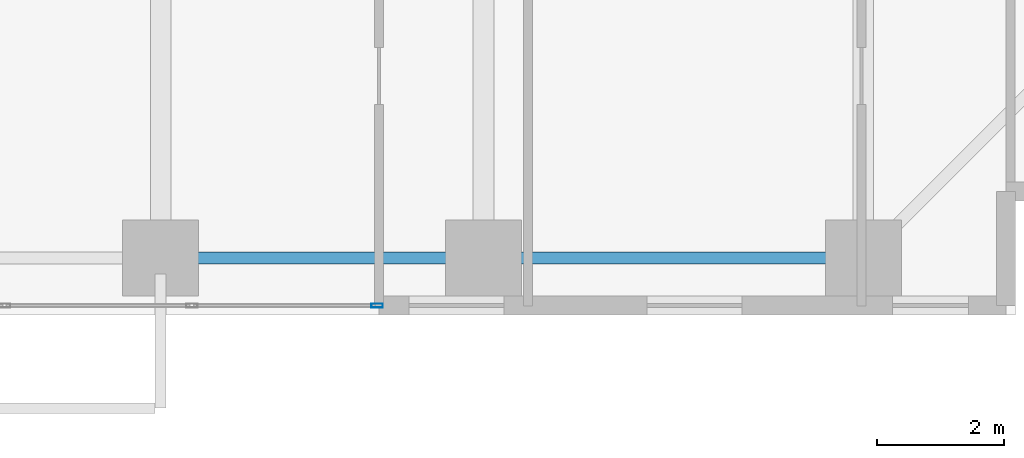
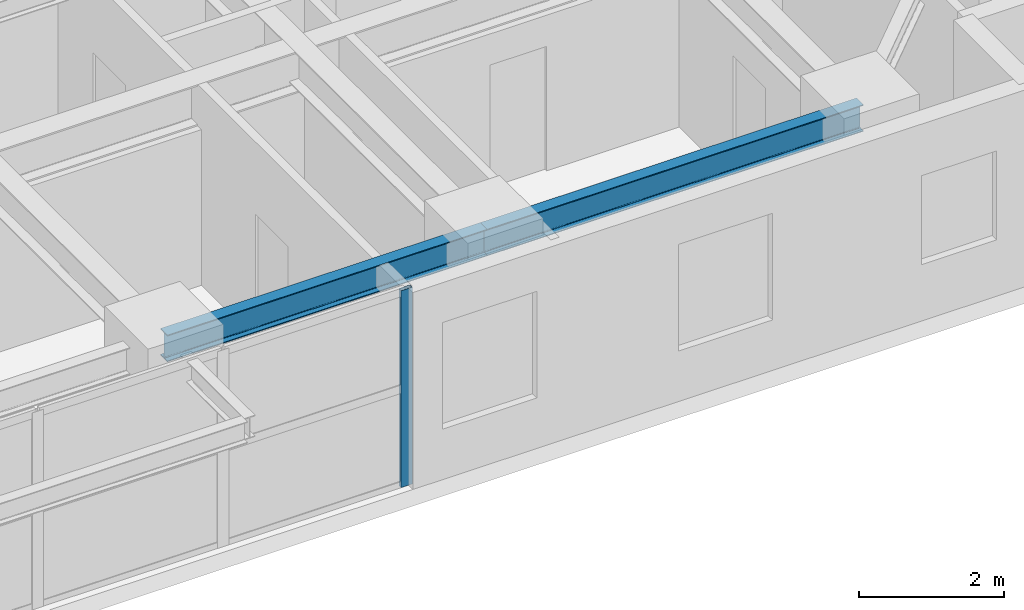
# One storey, part 7 of 24: 2 beams, 1 member, 1 element without a shape of its own.
"""IFC4 building model written with IfcOpenShell, lengths in metres."""

import ifcopenshell
import ifcopenshell.guid

model = None  # the IFC model being written
_history = None  # IfcOwnerHistory: only IFC2X3 demands one
_inside = {}  # id of a spatial element -> (the spatial element, [elements in it])
_under = {}  # id of a project, library or spatial element -> (it, [spatial elements below it])
_declared = {}  # id of a project -> (the project, [libraries it declares])
_typed = {}  # id of a type object -> (the type object, [elements of that type])
_made_of = {}  # id of a material, layer set ... -> (it, [elements and type objects made of it])


def new_model(schema):
    """Start an empty IFC model of exactly this schema.

    Asked for "IFC4X3", IfcOpenShell would pick the latest addendum, in which some entities
    have other attributes; the version numbers below select the first issue.
    IFC2X3 requires an IfcOwnerHistory on every rooted entity: one is made here for all.
    """
    global model, _history
    if schema == "IFC4X3":
        model = ifcopenshell.file(schema_version=(4, 3, 0, 0))
    else:
        model = ifcopenshell.file(schema=schema)
    _inside.clear()
    _under.clear()
    _declared.clear()
    _typed.clear()
    _made_of.clear()
    _history = None
    if model.schema == "IFC2X3":
        org = make("IfcOrganization", Name="unknown")
        user = make(
            "IfcPersonAndOrganization",
            ThePerson=make("IfcPerson", FamilyName="unknown"),
            TheOrganization=org,
        )
        app = make(
            "IfcApplication",
            ApplicationDeveloper=org,
            Version="unknown",
            ApplicationFullName="unknown",
            ApplicationIdentifier="unknown",
        )
        _history = make(
            "IfcOwnerHistory",
            OwningUser=user,
            OwningApplication=app,
            ChangeAction="ADDED",
            CreationDate=0,
        )
    return model


def make(cls, **values):
    """One entity of the class cls with the attributes given. An attribute that is None is left unset."""
    return model.create_entity(
        cls, **{name: value for name, value in values.items() if value is not None}
    )


def rooted(cls, **values):
    """An entity with a GlobalId (a new one), such as an element, a storey or a relation."""
    return make(cls, GlobalId=ifcopenshell.guid.new(), OwnerHistory=_history, **values)


def si_unit(unit_type, name, prefix=None):
    """IfcSIUnit, for example si_unit("LENGTHUNIT", "METRE", prefix="MILLI")."""
    return make("IfcSIUnit", UnitType=unit_type, Prefix=prefix, Name=name)


def assignment(units):
    """IfcUnitAssignment: the units of a project."""
    return None if units is None else make("IfcUnitAssignment", Units=units)


def point(xyz):
    """IfcCartesianPoint."""
    return None if xyz is None else make("IfcCartesianPoint", Coordinates=xyz)


def direction(xyz):
    """IfcDirection."""
    return None if xyz is None else make("IfcDirection", DirectionRatios=xyz)


def frame(location, z_axis=None, x_axis=None):
    """IfcAxis2Placement3D, a coordinate frame: its origin and axes. An axis left out is left unset."""
    return make(
        "IfcAxis2Placement3D",
        Location=point(location),
        Axis=direction(z_axis),
        RefDirection=direction(x_axis),
    )


def frame_2d(location, x_axis=None):
    """IfcAxis2Placement2D, a coordinate frame in the plane: its origin and x axis."""
    return make(
        "IfcAxis2Placement2D", Location=point(location), RefDirection=direction(x_axis)
    )


def origin():
    """The frame at (0, 0, 0) with its axes left unset."""
    return frame((0.0, 0.0, 0.0))


def origin_2d():
    """The frame at (0, 0) in the plane with its x axis left unset."""
    return frame_2d((0.0, 0.0))


def place(relative_to, where):
    """IfcLocalPlacement: puts the frame where relative to a parent placement (None: the world)."""
    return make(
        "IfcLocalPlacement", PlacementRelTo=relative_to, RelativePlacement=where
    )


def context(
    kind, dimensions, precision=None, world=None, true_north=None, identifier=None
):
    """IfcGeometricRepresentationContext, for example the 3D "Model" context."""
    return make(
        "IfcGeometricRepresentationContext",
        ContextIdentifier=identifier,
        ContextType=kind,
        CoordinateSpaceDimension=dimensions,
        Precision=precision,
        WorldCoordinateSystem=world,
        TrueNorth=true_north,
    )


def subcontext(parent, identifier, kind, view, scale=None):
    """IfcGeometricRepresentationSubContext, for example "Body" below "Model"."""
    return make(
        "IfcGeometricRepresentationSubContext",
        ContextIdentifier=identifier,
        ContextType=kind,
        ParentContext=parent,
        TargetScale=scale,
        TargetView=view,
    )


def project(units=None, contexts=None):
    """IfcProject with its units and contexts."""
    return rooted(
        "IfcProject",
        Name="project",
        RepresentationContexts=contexts,
        UnitsInContext=assignment(units),
    )


def spatial(cls, under=None, at=None, **own):
    """A site, building, storey or space (cls), placed at a placement, below another one or the project."""
    s = rooted(cls, ObjectPlacement=at, **own)
    if under is not None:
        _under.setdefault(under.id(), (under, []))[1].append(s)
    return s


def profile(cls, at=None, kind="AREA", **sizes):
    """A parametric profile (cls). Its sizes go by their IFC names, for example OverallWidth=200.0."""
    return make(cls, ProfileType=kind, Position=at, **sizes)


def hollow_rectangle(**sizes):
    """IfcRectangleHollowProfileDef."""
    return profile("IfcRectangleHollowProfileDef", **sizes)


def i_section(**sizes):
    """IfcIShapeProfileDef."""
    return profile("IfcIShapeProfileDef", **sizes)


def extrude(swept, where, along, depth):
    """IfcExtrudedAreaSolid: the profile swept, set in the frame where, extruded along a direction by depth."""
    return make(
        "IfcExtrudedAreaSolid",
        SweptArea=swept,
        Position=where,
        ExtrudedDirection=direction(along),
        Depth=depth,
    )


def shape(context_of_items, identifier, shape_type, items):
    """IfcShapeRepresentation: the items that make up one representation, for example the "Body"."""
    return make(
        "IfcShapeRepresentation",
        ContextOfItems=context_of_items,
        RepresentationIdentifier=identifier,
        RepresentationType=shape_type,
        Items=items,
    )


def source(mapping_origin, context_of_items, identifier, shape_type, items):
    """IfcRepresentationMap: a shape defined once, which mapped items show again and again."""
    return make(
        "IfcRepresentationMap",
        MappingOrigin=mapping_origin,
        MappedRepresentation=shape(context_of_items, identifier, shape_type, items),
    )


def transform(
    local_origin,
    x_axis=None,
    y_axis=None,
    z_axis=None,
    scale=None,
    scale2=None,
    scale3=None,
    uniform=True,
):
    """IfcCartesianTransformationOperator3D, or its non-uniform kind. x_axis, y_axis, z_axis: its Axis1, 2, 3."""
    if uniform:
        return make(
            "IfcCartesianTransformationOperator3D",
            Axis1=direction(x_axis),
            Axis2=direction(y_axis),
            LocalOrigin=point(local_origin),
            Scale=scale,
            Axis3=direction(z_axis),
        )
    return make(
        "IfcCartesianTransformationOperator3DnonUniform",
        Axis1=direction(x_axis),
        Axis2=direction(y_axis),
        LocalOrigin=point(local_origin),
        Scale=scale,
        Axis3=direction(z_axis),
        Scale2=scale2,
        Scale3=scale3,
    )


def mapped(mapping_source, mapping_target):
    """IfcMappedItem: shows the shape of a source again, moved by a transform."""
    return make(
        "IfcMappedItem", MappingSource=mapping_source, MappingTarget=mapping_target
    )


def material(Name=None, Category=None):
    """IfcMaterial."""
    return make("IfcMaterial", Name=Name, Category=Category)


def layer(
    of_material, thickness, ventilated=None, Name=None, Category=None, Priority=None
):
    """IfcMaterialLayer: one layer of a wall or slab, of a material (None: an air gap)."""
    return make(
        "IfcMaterialLayer",
        Material=of_material,
        LayerThickness=thickness,
        IsVentilated=ventilated,
        Name=Name,
        Category=Category,
        Priority=Priority,
    )


def layer_set(layers, Name=None):
    """IfcMaterialLayerSet."""
    return make("IfcMaterialLayerSet", MaterialLayers=layers, LayerSetName=Name)


def material_profile(
    of_material, cross_section, Name=None, Category=None, Priority=None
):
    """IfcMaterialProfile: a cross section and its material."""
    return make(
        "IfcMaterialProfile",
        Name=Name,
        Material=of_material,
        Profile=cross_section,
        Priority=Priority,
        Category=Category,
    )


def profile_set(profiles, Name=None, composite=None):
    """IfcMaterialProfileSet."""
    return make(
        "IfcMaterialProfileSet",
        Name=Name,
        MaterialProfiles=profiles,
        CompositeProfile=composite,
    )


def made_of(thing, what):
    """Note that an element or type object is made of a material, layer set ...; save() writes the relation."""
    if what is not None:
        _made_of.setdefault(what.id(), (what, []))[1].append(thing)
    return thing


def type_object(cls, material=None, **own):
    """A type object (cls), such as IfcWallType, which elements share."""
    return made_of(rooted(cls, **own), material)


def element(
    cls,
    number,
    at=None,
    inside=None,
    cuts=None,
    type_object=None,
    material=None,
    context=None,
    identifier="Body",
    shape_type=None,
    held_by="IfcProductDefinitionShape",
    body=None,
    shapes=None,
    **own,
):
    """One element of the class cls, such as IfcWall. Its Tag is "e" and its number.

    at: its placement. inside: the storey or other place that contains it. cuts: it is an
    opening in that element (IfcRelVoidsElement). A single representation is given by context,
    identifier, shape_type and body (its items); several are given by shapes. held_by: the class
    of the entity that holds the representations. save() writes the other relations.
    """
    e = rooted(cls, Tag="e%d" % number, ObjectPlacement=at, **own)
    if body is not None:
        shapes = [shape(context, identifier, shape_type, body)]
    if shapes is not None:
        e.Representation = make(held_by, Representations=shapes)
    if inside is not None:
        _inside.setdefault(inside.id(), (inside, []))[1].append(e)
    if cuts is not None:
        rooted(
            "IfcRelVoidsElement", RelatingBuildingElement=cuts, RelatedOpeningElement=e
        )
    if type_object is not None:
        _typed.setdefault(type_object.id(), (type_object, []))[1].append(e)
    return made_of(e, material)


def aggregate(whole, parts):
    """IfcRelAggregates: a whole, such as a stair, and the parts it consists of."""
    return rooted("IfcRelAggregates", RelatingObject=whole, RelatedObjects=parts)


def save(model, path):
    """Write the relations noted so far, then the file.

    IfcRelAggregates (storeys below a building ...), IfcRelContainedInSpatialStructure (elements
    in a storey), IfcRelDefinesByType, IfcRelAssociatesMaterial and IfcRelDeclares: one each for
    every whole, place, type object, material and project.
    """
    for whole, parts in _under.values():
        aggregate(whole, parts)
    for where, things in _inside.values():
        rooted(
            "IfcRelContainedInSpatialStructure",
            RelatedElements=things,
            RelatingStructure=where,
        )
    for kind, things in _typed.values():
        rooted("IfcRelDefinesByType", RelatedObjects=things, RelatingType=kind)
    for what, things in _made_of.values():
        rooted("IfcRelAssociatesMaterial", RelatedObjects=things, RelatingMaterial=what)
    for by, libraries in _declared.values():
        rooted("IfcRelDeclares", RelatingContext=by, RelatedDefinitions=libraries)
    model.write(path)


model = new_model("IFC4")

# Units and contexts
model_context = context("Model", 3, precision=1e-05, world=origin(), true_north=direction((0.0, 1.0)))
body_context = subcontext(model_context, "Body", "Model", "MODEL_VIEW")
ifc_project = project(units=[si_unit("LENGTHUNIT", "METRE"), si_unit("AREAUNIT", "SQUARE_METRE"), si_unit("VOLUMEUNIT", "CUBIC_METRE"), si_unit("PLANEANGLEUNIT", "RADIAN"), si_unit("MASSUNIT", "GRAM", prefix="KILO")], contexts=[model_context])

# Site, building, storey
site_placement = place(None, origin())
site = spatial("IfcSite", under=ifc_project, at=site_placement, CompositionType="ELEMENT")
building_placement = place(site_placement, origin())
building = spatial("IfcBuilding", under=site, at=building_placement, Name="Khoralis Quay Care Tower", CompositionType="ELEMENT")
storey_placement = place(building_placement, frame((0.0, 0.0, 54.89990234375)))
storey = spatial("IfcBuildingStorey", under=building, at=storey_placement, Name="L14", CompositionType="ELEMENT", Elevation=54.89990234375)

# Beams
ifc_material_1 = material(Name="Steel S355", Category="steel")
ifc_material_profile_1 = material_profile(ifc_material_1, i_section(OverallWidth=0.18994140625, OverallDepth=0.449951171875, WebThickness=0.009521484375, FlangeThickness=0.0146484375, FilletRadius=0.02099609375, at=origin_2d()), Name="Steel S355")
ifc_profile_set_1 = profile_set([ifc_material_profile_1], Name="Steel S355")
beam_type = type_object("IfcBeamType", Name="BM-IPE450", PredefinedType="SPANDREL", material=ifc_profile_set_1)
shared_shape_1 = source(origin(), body_context, "Body", "SweptSolid", [
    extrude(i_section(OverallWidth=0.18994140625, OverallDepth=0.449951171875, WebThickness=0.009521484375, FlangeThickness=0.0146484375, FilletRadius=0.02099609375, at=origin_2d()), origin(), (0.0, 0.0, 1.0), 6.0),
])
beam_1_placement = place(storey_placement, frame((36.0, 0.89990234375, 3.09521484375), z_axis=(1.0, 0.0, 0.0), x_axis=(0.0, 1.0, 0.0)))
element("IfcBeam", 1, at=beam_1_placement, inside=storey, type_object=beam_type, Name="BM-TSP-L14-06", PredefinedType="SPANDREL", context=body_context, shape_type="MappedRepresentation", body=[
    mapped(shared_shape_1, transform((0.0, 0.0, 0.0), scale=1.0)),
])
shared_shape_2 = source(origin(), body_context, "Body", "SweptSolid", [
    extrude(i_section(OverallWidth=0.18994140625, OverallDepth=0.449951171875, WebThickness=0.009521484375, FlangeThickness=0.0146484375, FilletRadius=0.02099609375, at=origin_2d()), origin(), (0.0, 0.0, 1.0), 5.10009765625),
])
beam_2_placement = place(storey_placement, frame((30.89990234375, 0.89990234375, 3.09521484375), z_axis=(1.0, 0.0, 0.0), x_axis=(0.0, 1.0, 0.0)))
element("IfcBeam", 2, at=beam_2_placement, inside=storey, type_object=beam_type, Name="BM-TSP-L14-05", PredefinedType="SPANDREL", context=body_context, shape_type="MappedRepresentation", body=[
    mapped(shared_shape_2, transform((0.0, 0.0, 0.0), scale=1.0)),
])

# Curtain wall, member
ifc_material_2 = material(Name="Pale anodised aluminium", Category="aluminium")
ifc_layer = layer(ifc_material_2, 0.179931640625)
ifc_layer_set = layer_set([ifc_layer], Name="Pale anodised aluminium")
curtain_wall_type = type_object("IfcCurtainWallType", Name="CW-SYS-Z1", PredefinedType="NOTDEFINED", material=ifc_layer_set)
curtain_wall_placement = place(storey_placement, origin())
curtain_wall = element("IfcCurtainWall", 3, at=curtain_wall_placement, inside=storey, type_object=curtain_wall_type, Name="L14 Unitised Curtain Wall CW-L14-P1-E0", PredefinedType="NOTDEFINED")
ifc_material_profile_2 = material_profile(ifc_material_2, hollow_rectangle(XDim=0.06494140625, YDim=0.179931640625, WallThickness=0.00390625, at=origin_2d()), Name="Pale anodised aluminium")
ifc_profile_set_2 = profile_set([ifc_material_profile_2], Name="Pale anodised aluminium")
member_type = type_object("IfcMemberType", Name="CW-MUL-180", PredefinedType="MULLION", material=ifc_profile_set_2)
shared_shape_3 = source(origin(), body_context, "Body", "SweptSolid", [
    extrude(hollow_rectangle(XDim=0.06494140625, YDim=0.179931640625, WallThickness=0.00390625, at=origin_2d()), origin(), (0.0, 0.0, 1.0), 3.320068359375),
])
member_placement = place(storey_placement, frame((34.320068359375, 0.14990234375, 0.0), z_axis=(0.0, 0.0, 1.0), x_axis=(0.0, 1.0, 0.0)))
member = element("IfcMember", 4, at=member_placement, type_object=member_type, Name="CW1 mullion 7", PredefinedType="MULLION", context=body_context, shape_type="MappedRepresentation", body=[
    mapped(shared_shape_3, transform((0.0, 0.0, 0.0), scale=1.0)),
])
aggregate(curtain_wall, [member])

save(model, "model.ifc")
